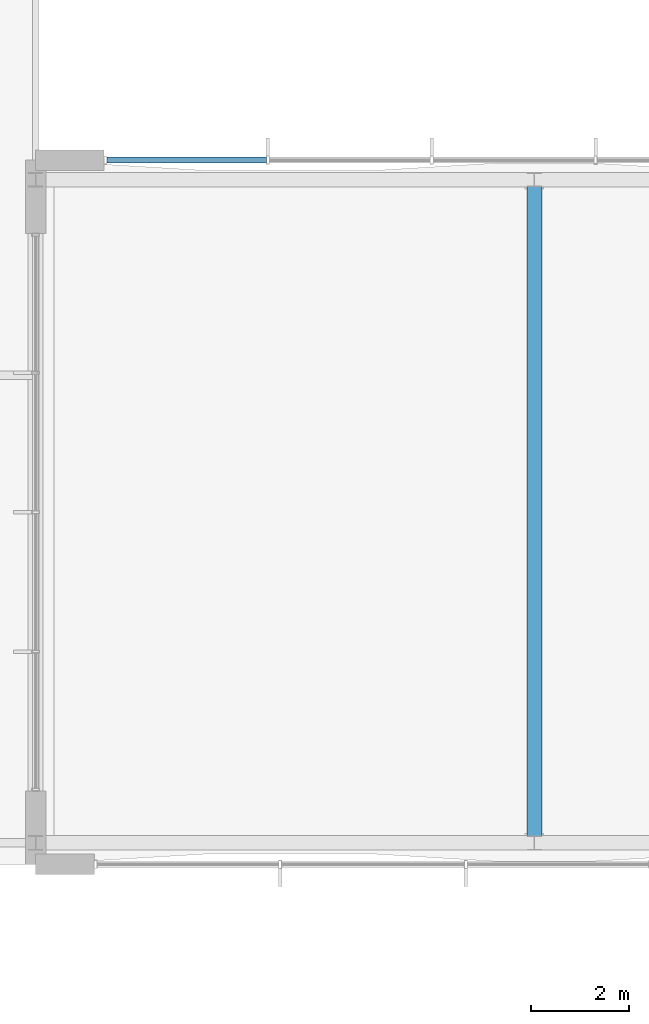
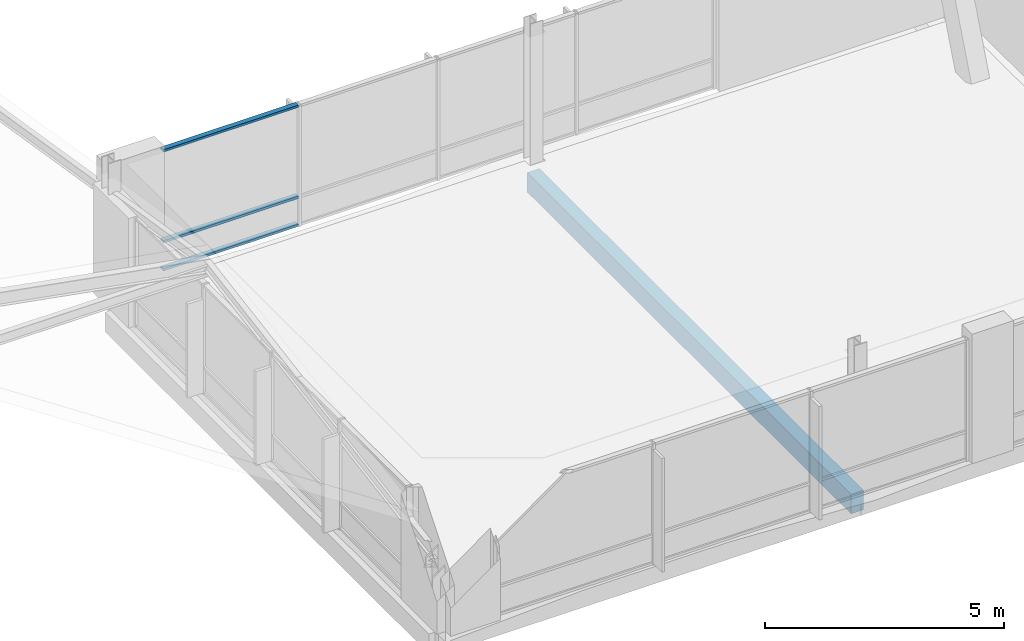
# One storey, part 54 of 189: 3 members, 1 beam, 1 element without a shape of its own.
"""IFC4 building model written with IfcOpenShell, lengths in metres."""

from ifc_helpers import new_model, si_unit, direction, frame, origin, origin_2d, place, context, subcontext, project, spatial, rectangle, hollow_rectangle, extrude, material, material_profile, profile_set, type_object, element, aggregate, save


model = new_model("IFC4")

# Units and contexts
model_context = context("Model", 3, precision=1e-05, world=origin(), true_north=direction((0.0, 1.0)))
body_context = subcontext(model_context, "Body", "Model", "MODEL_VIEW")
ifc_project = project(units=[si_unit("LENGTHUNIT", "METRE"), si_unit("AREAUNIT", "SQUARE_METRE"), si_unit("VOLUMEUNIT", "CUBIC_METRE"), si_unit("PLANEANGLEUNIT", "RADIAN"), si_unit("MASSUNIT", "GRAM", prefix="KILO")], contexts=[model_context])

# Site, building, storey
site_placement = place(None, origin())
site = spatial("IfcSite", under=ifc_project, at=site_placement, CompositionType="ELEMENT")
building_placement = place(site_placement, origin())
building = spatial("IfcBuilding", under=site, at=building_placement, Name="Zavelmont Quarter", CompositionType="ELEMENT")
storey_placement = place(building_placement, frame((0.0, 0.0, 4.39990234375)))
storey = spatial("IfcBuildingStorey", under=building, at=storey_placement, Name="L01", CompositionType="ELEMENT", Elevation=4.39990234375)

# Beam
ifc_material_1 = material(Name="Concrete C35/45", Category="concrete")
ifc_material_profile_1 = material_profile(ifc_material_1, rectangle(XDim=0.300048828125, YDim=0.5, at=origin_2d()), Name="RC300X500")
ifc_profile_set_1 = profile_set([ifc_material_profile_1], Name="Concrete C35/45")
beam_type = type_object("IfcBeamType", Name="BM03", PredefinedType="BEAM", material=ifc_profile_set_1)
beam_placement = place(storey_placement, frame((102.199951171875, 0.43994140625, -0.52978515625), z_axis=(0.0, 1.0, 0.0), x_axis=(-1.0, 0.0, 0.0)))
element("IfcBeam", 1, at=beam_placement, inside=storey, type_object=beam_type, Name="L01 beam BM03 16/A to 16/C", PredefinedType="BEAM", context=body_context, shape_type="SweptSolid", body=[
    extrude(rectangle(XDim=0.300048828125, YDim=0.5, at=origin_2d()), origin(), (0.0, 0.0, 1.0), 13.56005859375),
])

# Curtain wall, members
ifc_material_2 = material(Name="Thermally broken aluminium and double low-E safety glazing", Category="aluminium")
curtain_wall_type = type_object("IfcCurtainWallType", Name="CW-1340X310", PredefinedType="NOTDEFINED", material=ifc_material_2)
curtain_wall_placement = place(storey_placement, origin())
curtain_wall = element("IfcCurtainWall", 2, at=curtain_wall_placement, inside=storey, type_object=curtain_wall_type, Name="L01 unitised curtain wall CW-1340X310", PredefinedType="NOTDEFINED")
ifc_material_3 = material(Name="Powder-coated aluminium EN AW-6063-T6", Category="aluminium")
ifc_material_profile_2 = material_profile(ifc_material_3, hollow_rectangle(XDim=0.1201171875, YDim=0.06005859375, WallThickness=0.00390625, at=origin_2d()), Name="CWT60X120")
ifc_profile_set_2 = profile_set([ifc_material_profile_2], Name="Powder-coated aluminium EN AW-6063-T6")
member_type = type_object("IfcMemberType", Name="CWT01", PredefinedType="NOTDEFINED", material=ifc_profile_set_2)
member_1_placement = place(storey_placement, frame((93.4599609375, 14.39990234375, 0.030029296875), z_axis=(1.0, 0.0, 0.0), x_axis=(0.0, 1.0, 0.0)))
member_1 = element("IfcMember", 3, at=member_1_placement, type_object=member_type, Name="CW-1340X310 transom 1.1", ObjectType="TRANSOM", PredefinedType="USERDEFINED", context=body_context, shape_type="SweptSolid", body=[
    extrude(hollow_rectangle(XDim=0.1201171875, YDim=0.06005859375, WallThickness=0.00390625, at=origin_2d()), origin(), (0.0, 0.0, 1.0), 3.260009765625),
])
member_2_placement = place(storey_placement, frame((93.4599609375, 14.39990234375, 0.744140625), z_axis=(1.0, 0.0, 0.0), x_axis=(0.0, 1.0, 0.0)))
member_2 = element("IfcMember", 4, at=member_2_placement, type_object=member_type, Name="CW-1340X310 transom 1.2", ObjectType="TRANSOM", PredefinedType="USERDEFINED", context=body_context, shape_type="SweptSolid", body=[
    extrude(hollow_rectangle(XDim=0.1201171875, YDim=0.06005859375, WallThickness=0.00390625, at=origin_2d()), origin(), (0.0, 0.0, 1.0), 3.260009765625),
])
member_3_placement = place(storey_placement, frame((93.4599609375, 14.39990234375, 3.070068359375), z_axis=(1.0, 0.0, 0.0), x_axis=(0.0, 1.0, 0.0)))
member_3 = element("IfcMember", 5, at=member_3_placement, type_object=member_type, Name="CW-1340X310 transom 1.3", ObjectType="TRANSOM", PredefinedType="USERDEFINED", context=body_context, shape_type="SweptSolid", body=[
    extrude(hollow_rectangle(XDim=0.1201171875, YDim=0.06005859375, WallThickness=0.00390625, at=origin_2d()), origin(), (0.0, 0.0, 1.0), 3.260009765625),
])
aggregate(curtain_wall, [member_1, member_2, member_3])

save(model, "model.ifc")
